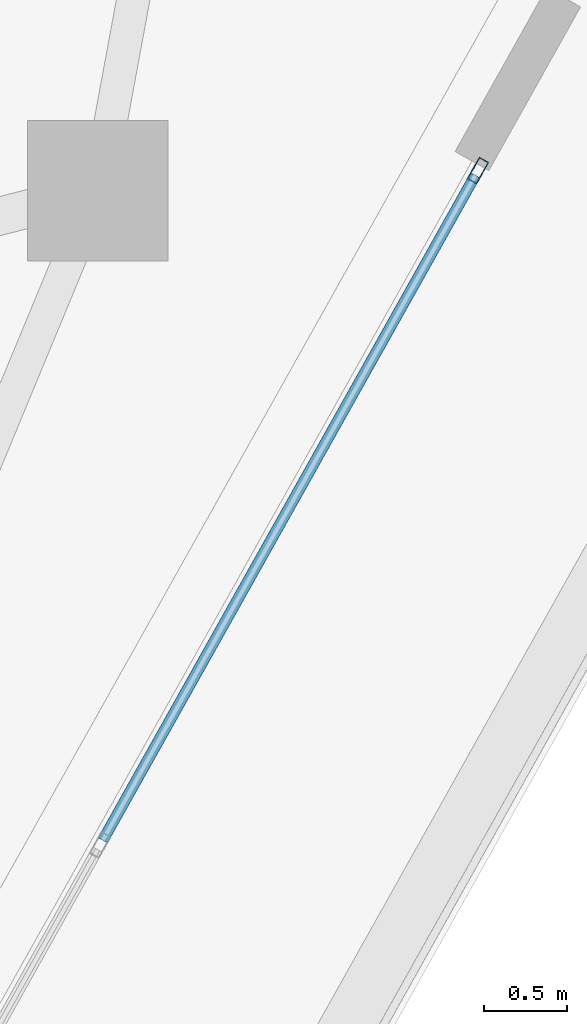
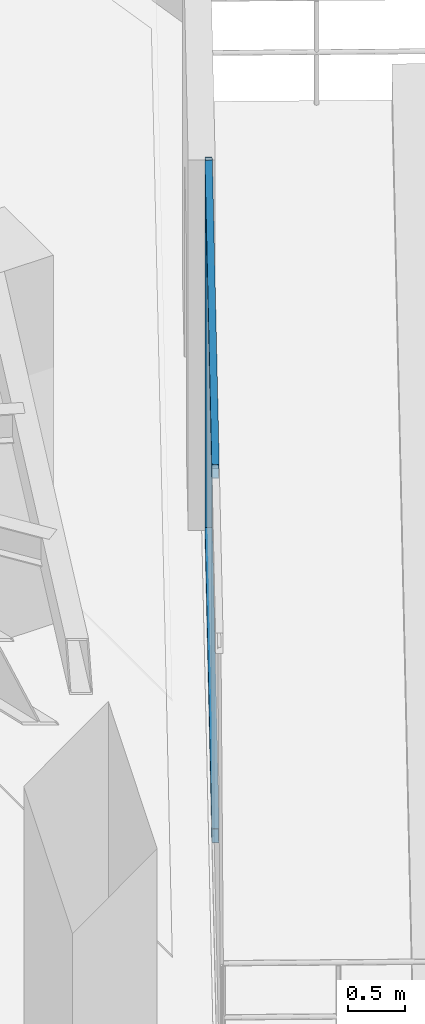
# One storey, part 7 of 20: 3 members, 1 element without a shape of its own.
"""IFC4 building model written with IfcOpenShell, lengths in metres."""

from ifc_helpers import new_model, si_unit, direction, frame, origin, origin_2d, place, context, subcontext, project, spatial, hollow_rectangle, extrude, source, transform, mapped, material, layer, layer_set, material_profile, profile_set, type_object, type_shapes, element, aggregate, save


model = new_model("IFC4")

# Units and contexts
model_context = context("Model", 3, precision=1e-05, world=origin(), true_north=direction((0.0, 1.0)))
body_context = subcontext(model_context, "Body", "Model", "MODEL_VIEW")
ifc_project = project(units=[si_unit("LENGTHUNIT", "METRE"), si_unit("AREAUNIT", "SQUARE_METRE"), si_unit("VOLUMEUNIT", "CUBIC_METRE"), si_unit("PLANEANGLEUNIT", "RADIAN"), si_unit("MASSUNIT", "GRAM", prefix="KILO")], contexts=[model_context])

# Site, building, storey
site_placement = place(None, origin())
site = spatial("IfcSite", under=ifc_project, at=site_placement, CompositionType="ELEMENT")
building_placement = place(site_placement, origin())
building = spatial("IfcBuilding", under=site, at=building_placement, Name="Talar Marvaseh", CompositionType="ELEMENT")
storey_placement = place(building_placement, frame((0.0, 0.0, 291.800048828125)))
storey = spatial("IfcBuildingStorey", under=building, at=storey_placement, Name="L78", CompositionType="ELEMENT", Elevation=291.800048828125)

# Curtain wall, members
ifc_material = material(Name="Architectural Aluminium", Category="aluminium")
ifc_layer = layer(ifc_material, 0.239990234375)
ifc_layer_set = layer_set([ifc_layer], Name="Architectural Aluminium")
curtain_wall_type = type_object("IfcCurtainWallType", Name="Observation Sky Gallery Structural Glass Wall", PredefinedType="NOTDEFINED", material=ifc_layer_set)
curtain_wall_placement = place(storey_placement, origin())
curtain_wall = element("IfcCurtainWall", 1, at=curtain_wall_placement, inside=storey, type_object=curtain_wall_type, Name="L78 Observation Sky Gallery Structural Glass Wall", PredefinedType="NOTDEFINED")
ifc_material_profile_1 = material_profile(ifc_material, hollow_rectangle(XDim=0.06494140625, YDim=0.14990234375, WallThickness=0.00390625, at=origin_2d()), Name="RHS150x65x4")
ifc_profile_set_1 = profile_set([ifc_material_profile_1], Name="Architectural Aluminium")
member_type_1 = type_object("IfcMemberType", Name="Unitised Curtain Wall Slim Mullion RHS150x65x4", PredefinedType="MULLION", material=ifc_profile_set_1)
shared_shape_1 = source(origin(), body_context, "Body", "SweptSolid", [
    extrude(hollow_rectangle(XDim=0.06494140625, YDim=0.14990234375, WallThickness=0.00390625, at=origin_2d()), origin(), (0.0, 0.0, 1.0), 3.93994140625),
])
type_shapes(member_type_1, [shared_shape_1])
member_1_placement = place(storey_placement, frame((39.49951171875, 26.6357421875, 0.0), z_axis=(0.0, 0.0, 1.0), x_axis=(0.872422456742, -0.488752551883, 0.0)))
member_1 = element("IfcMember", 2, at=member_1_placement, type_object=member_type_1, Name="CW-OBS mullion 1", PredefinedType="MULLION", context=body_context, shape_type="MappedRepresentation", body=[
    mapped(shared_shape_1, transform((0.0, 0.0, 0.0), x_axis=(1.0, 0.0, 0.0), y_axis=(0.0, 1.0, 0.0), z_axis=(0.0, 0.0, 1.0), scale=1.0)),
])
ifc_material_profile_2 = material_profile(ifc_material, hollow_rectangle(XDim=0.06494140625, YDim=0.14990234375, WallThickness=0.00390625, at=origin_2d()), Name="RHS150x65x4")
ifc_profile_set_2 = profile_set([ifc_material_profile_2], Name="Architectural Aluminium")
member_type_2 = type_object("IfcMemberType", Name="Unitised Curtain Wall Slim Transom RHS150x65x4", PredefinedType="USERDEFINED", material=ifc_profile_set_2)
shared_shape_2 = source(origin(), body_context, "Body", "SweptSolid", [
    extrude(hollow_rectangle(XDim=0.06494140625, YDim=0.14990234375, WallThickness=0.00390625, at=origin_2d()), origin(), (0.0, 0.0, 1.0), 4.617431640625),
])
type_shapes(member_type_2, [shared_shape_2])
member_2_placement = place(storey_placement, frame((39.483642578125, 26.607421875, 0.032470703125), z_axis=(-0.488764364533, -0.8724158389, 0.0), x_axis=(0.8724158389, -0.488764364533, 0.0)))
member_2 = element("IfcMember", 3, at=member_2_placement, type_object=member_type_2, Name="CW-OBS transom 1.1", ObjectType="TRANSOM", PredefinedType="USERDEFINED", context=body_context, shape_type="MappedRepresentation", body=[
    mapped(shared_shape_2, transform((0.0, 0.0, 0.0), x_axis=(1.0, 0.0, 0.0), y_axis=(0.0, 1.0, 0.0), z_axis=(0.0, 0.0, 1.0), scale=1.0)),
])
member_3_placement = place(storey_placement, frame((39.483642578125, 26.607421875, 3.907470703125), z_axis=(-0.488764364533, -0.8724158389, 0.0), x_axis=(0.8724158389, -0.488764364533, 0.0)))
member_3 = element("IfcMember", 4, at=member_3_placement, type_object=member_type_2, Name="CW-OBS transom 1.2", ObjectType="TRANSOM", PredefinedType="USERDEFINED", context=body_context, shape_type="MappedRepresentation", body=[
    mapped(shared_shape_2, transform((0.0, 0.0, 0.0), x_axis=(1.0, 0.0, 0.0), y_axis=(0.0, 1.0, 0.0), z_axis=(0.0, 0.0, 1.0), scale=1.0)),
])
aggregate(curtain_wall, [member_1, member_2, member_3])

save(model, "model.ifc")
